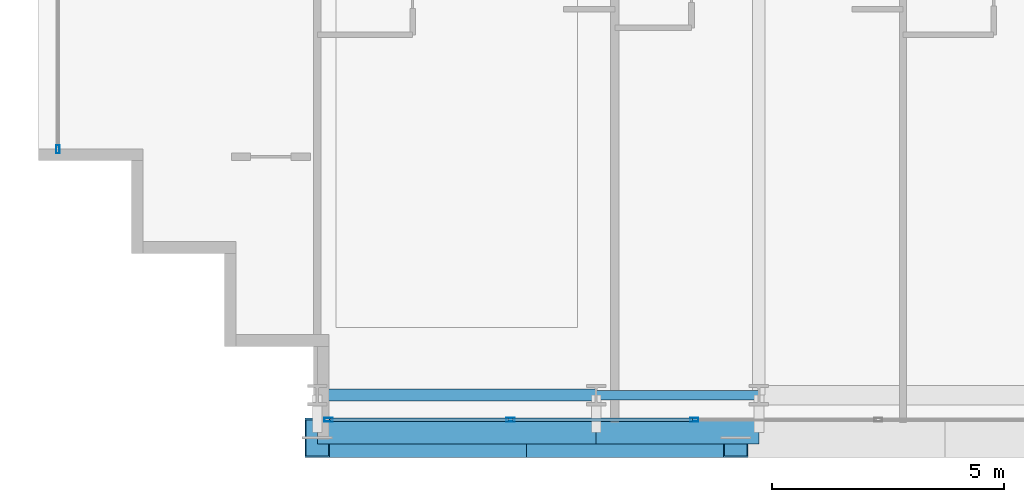
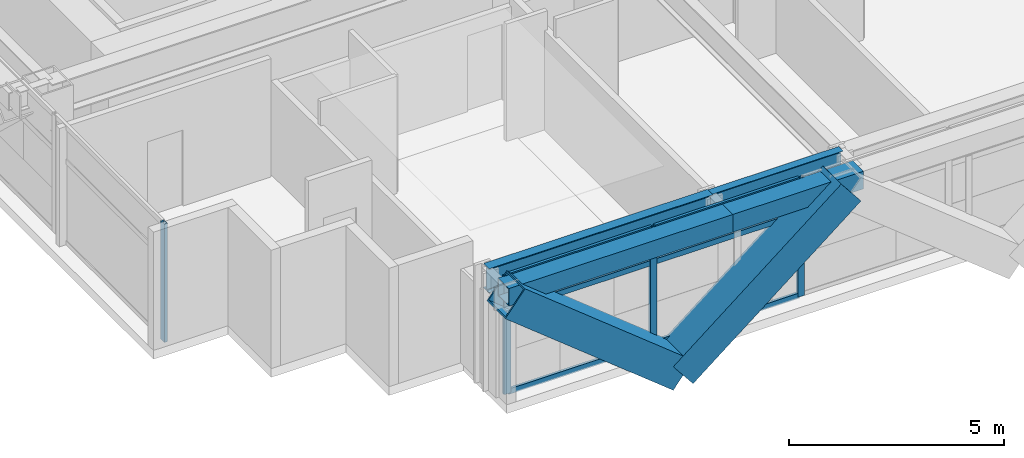
# One storey, part 2 of 41: 12 members, 4 beams, 2 elements without a shape of their own.
"""IFC4 building model written with IfcOpenShell, lengths in metres."""

from ifc_helpers import new_model, si_unit, direction, frame, origin, origin_2d, place, context, subcontext, project, spatial, hollow_rectangle, i_section, extrude, source, transform, mapped, material, layer, layer_set, material_profile, profile_set, type_object, element, aggregate, save


model = new_model("IFC4")

# Units and contexts
model_context = context("Model", 3, precision=1e-05, world=origin(), true_north=direction((0.0, 1.0)))
body_context = subcontext(model_context, "Body", "Model", "MODEL_VIEW")
ifc_project = project(units=[si_unit("LENGTHUNIT", "METRE"), si_unit("AREAUNIT", "SQUARE_METRE"), si_unit("VOLUMEUNIT", "CUBIC_METRE"), si_unit("PLANEANGLEUNIT", "RADIAN"), si_unit("MASSUNIT", "GRAM", prefix="KILO")], contexts=[model_context])

# Site, building, storey
site_placement = place(None, origin())
site = spatial("IfcSite", under=ifc_project, at=site_placement, CompositionType="ELEMENT")
building_placement = place(site_placement, origin())
building = spatial("IfcBuilding", under=site, at=building_placement, Name="Ocotamira Hotel", CompositionType="ELEMENT")
storey_placement = place(building_placement, frame((0.0, 0.0, 52.800048828125)))
storey = spatial("IfcBuildingStorey", under=building, at=storey_placement, Name="L12", CompositionType="ELEMENT", Elevation=52.800048828125)

# Beams
ifc_material_1 = material(Name="Steel ASTM A992 Grade 50", Category="steel")
ifc_material_profile_1 = material_profile(ifc_material_1, i_section(OverallWidth=0.256103515625, OverallDepth=0.693115234375, WebThickness=0.014404296875, FlangeThickness=0.023681640625, FilletRadius=0.01611328125, at=origin_2d()), Name="W27X114")
ifc_profile_set_1 = profile_set([ifc_material_profile_1], Name="Steel ASTM A992 Grade 50")
beam_type_1 = type_object("IfcBeamType", Name="BM-PRIM-W27X114", PredefinedType="BEAM", material=ifc_profile_set_1)
shared_shape_1 = source(origin(), body_context, "Body", "SweptSolid", [
    extrude(i_section(OverallWidth=0.256103515625, OverallDepth=0.693115234375, WebThickness=0.014404296875, FlangeThickness=0.023681640625, FilletRadius=0.01611328125, at=origin_2d()), origin(), (0.0, 0.0, 1.0), 6.0),
])
beam_1_placement = place(storey_placement, frame((14.0, 2.949951171875, 3.00341796875), z_axis=(1.0, 0.0, 0.0), x_axis=(0.0, 1.0, 0.0)))
element("IfcBeam", 1, at=beam_1_placement, inside=storey, type_object=beam_type_1, Name="L12 Girder Y2.95 X14-20", PredefinedType="BEAM", context=body_context, shape_type="MappedRepresentation", body=[
    mapped(shared_shape_1, transform((0.0, 0.0, 0.0), scale=1.0)),
])
ifc_material_profile_2 = material_profile(ifc_material_1, i_section(OverallWidth=0.2099609375, OverallDepth=0.537109375, WebThickness=0.010986328125, FlangeThickness=0.017333984375, FilletRadius=0.012939453125, at=origin_2d()), Name="W21X68")
ifc_profile_set_2 = profile_set([ifc_material_profile_2], Name="Steel ASTM A992 Grade 50")
beam_type_2 = type_object("IfcBeamType", Name="BM-SEC-W21X68", PredefinedType="JOIST", material=ifc_profile_set_2)
shared_shape_2 = source(origin(), body_context, "Body", "SweptSolid", [
    extrude(i_section(OverallWidth=0.2099609375, OverallDepth=0.537109375, WebThickness=0.010986328125, FlangeThickness=0.017333984375, FilletRadius=0.012939453125, at=origin_2d()), origin(), (0.0, 0.0, 1.0), 3.5),
])
beam_2_placement = place(storey_placement, frame((20.0, 2.949951171875, 3.08154296875), z_axis=(1.0, 0.0, 0.0), x_axis=(0.0, 1.0, 0.0)))
element("IfcBeam", 2, at=beam_2_placement, inside=storey, type_object=beam_type_2, Name="L12 Girder Y2.95 X20-23.5", PredefinedType="JOIST", context=body_context, shape_type="MappedRepresentation", body=[
    mapped(shared_shape_2, transform((0.0, 0.0, 0.0), scale=1.0)),
])
ifc_material_2 = material(Name="Steel ASTM A500 Grade C", Category="steel")
ifc_material_profile_3 = material_profile(ifc_material_2, hollow_rectangle(XDim=0.5, YDim=0.5, WallThickness=0.02001953125, at=origin_2d()), Name="HSS500X500X20")
ifc_profile_set_3 = profile_set([ifc_material_profile_3], Name="Steel ASTM A500 Grade C")
beam_type_3 = type_object("IfcBeamType", Name="BM-SPAN-HSS500", PredefinedType="USERDEFINED", material=ifc_profile_set_3)
shared_shape_3 = source(origin(), body_context, "Body", "SweptSolid", [
    extrude(hollow_rectangle(XDim=0.5, YDim=0.5, WallThickness=0.02001953125, at=origin_2d()), origin(), (0.0, 0.0, 1.0), 6.0),
])
beam_3_placement = place(storey_placement, frame((14.0, 2.14990234375, 3.099853515625), z_axis=(1.0, 0.0, 0.0), x_axis=(0.0, 1.0, 0.0)))
element("IfcBeam", 3, at=beam_3_placement, inside=storey, type_object=beam_type_3, Name="L12 Edge Spandrel S X14-20", ObjectType="SPANDREL", PredefinedType="USERDEFINED", context=body_context, shape_type="MappedRepresentation", body=[
    mapped(shared_shape_3, transform((0.0, 0.0, 0.0), scale=1.0)),
])
shared_shape_4 = source(origin(), body_context, "Body", "SweptSolid", [
    extrude(hollow_rectangle(XDim=0.5, YDim=0.5, WallThickness=0.02001953125, at=origin_2d()), origin(), (0.0, 0.0, 1.0), 3.5),
])
beam_4_placement = place(storey_placement, frame((20.0, 2.14990234375, 3.099853515625), z_axis=(1.0, 0.0, 0.0), x_axis=(0.0, 1.0, 0.0)))
element("IfcBeam", 4, at=beam_4_placement, inside=storey, type_object=beam_type_3, Name="L12 Edge Spandrel S X20-23.5", ObjectType="SPANDREL", PredefinedType="USERDEFINED", context=body_context, shape_type="MappedRepresentation", body=[
    mapped(shared_shape_4, transform((0.0, 0.0, 0.0), scale=1.0)),
])

# Members
ifc_material_3 = material(Name="Pale-metal coated steel ASTM A913 Grade 65", Category="steel")
ifc_material_profile_4 = material_profile(ifc_material_3, hollow_rectangle(XDim=0.85009765625, YDim=0.85009765625, WallThickness=0.035888671875, at=origin_2d()), Name="BOX850X850X36")
ifc_profile_set_4 = profile_set([ifc_material_profile_4], Name="Pale-metal coated steel ASTM A913 Grade 65")
member_type_1 = type_object("IfcMemberType", Name="MEM-EXO-BOX850", PredefinedType="BRACE", material=ifc_profile_set_4)
shared_shape_5 = source(origin(), body_context, "Body", "SweptSolid", [
    extrude(hollow_rectangle(XDim=0.85009765625, YDim=0.85009765625, WallThickness=0.035888671875, at=origin_2d()), origin(), (0.0, 0.0, 1.0), 5.7626953125),
])
for number, where, z_axis, x_axis, name in (
    (5, (18.5, 2.030029296875, -0.5), (-0.780881208953, 0.0, 0.624679547852), (0.0, -1.0, 0.0), "L12 Exoskeleton Diagrid S0.1"),
    (6, (18.5, 2.030029296875, -0.5), (0.780881208953, 0.0, 0.624679547852), (0.0, 1.0, 0.0), "L12 Exoskeleton Diagrid S0.2"),
):
    element("IfcMember", number, at=place(storey_placement, frame(where, z_axis=z_axis, x_axis=x_axis)), inside=storey, type_object=member_type_1, Name=name, PredefinedType="BRACE", context=body_context, shape_type="MappedRepresentation", body=[
        mapped(shared_shape_5, transform((0.0, 0.0, 0.0), scale=1.0)),
    ])

# Curtain wall, members
ifc_material_4 = material(Name="Anodised pale-metal aluminium and solar glass", Category="aluminium")
ifc_layer = layer(ifc_material_4, 0.179931640625)
ifc_layer_set = layer_set([ifc_layer], Name="Anodised pale-metal aluminium and solar glass")
curtain_wall_type = type_object("IfcCurtainWallType", Name="CW-SYS2-Z1", PredefinedType="NOTDEFINED", material=ifc_layer_set)
curtain_wall_1_placement = place(storey_placement, origin())
curtain_wall_1 = element("IfcCurtainWall", 7, at=curtain_wall_1_placement, inside=storey, type_object=curtain_wall_type, Name="L12 Curtain Wall CW-2 CW-L12-S1", PredefinedType="NOTDEFINED")
ifc_material_5 = material(Name="Anodised pale-metal aluminium 6063-T6", Category="aluminium")
ifc_material_profile_5 = material_profile(ifc_material_5, hollow_rectangle(XDim=0.080078125, YDim=0.179931640625, WallThickness=0.006103515625, at=origin_2d()), Name="HSS180X80X6")
ifc_profile_set_5 = profile_set([ifc_material_profile_5], Name="Anodised pale-metal aluminium 6063-T6")
member_type_2 = type_object("IfcMemberType", Name="CWM-180X75", PredefinedType="MULLION", material=ifc_profile_set_5)
shared_shape_6 = source(origin(), body_context, "Body", "SweptSolid", [
    extrude(hollow_rectangle(XDim=0.080078125, YDim=0.179931640625, WallThickness=0.006103515625, at=origin_2d()), origin(), (0.0, 0.0, 1.0), 3.349853515625),
])
member_1_placement = place(storey_placement, frame((14.239990234375, 2.419921875, 0.0), z_axis=(0.0, 0.0, 1.0), x_axis=(0.0, 1.0, 0.0)))
member_1 = element("IfcMember", 8, at=member_1_placement, type_object=member_type_2, Name="CW-2 mullion 1", PredefinedType="MULLION", context=body_context, shape_type="MappedRepresentation", body=[
    mapped(shared_shape_6, transform((0.0, 0.0, 0.0), scale=1.0)),
])
member_2_placement = place(storey_placement, frame((18.155517578125, 2.419921875, 0.0), z_axis=(0.0, 0.0, 1.0), x_axis=(0.0, 1.0, 0.0)))
member_2 = element("IfcMember", 9, at=member_2_placement, type_object=member_type_2, Name="CW-2 mullion 2", PredefinedType="MULLION", context=body_context, shape_type="MappedRepresentation", body=[
    mapped(shared_shape_6, transform((0.0, 0.0, 0.0), scale=1.0)),
])
member_3_placement = place(storey_placement, frame((22.111083984375, 2.419921875, 0.0), z_axis=(0.0, 0.0, 1.0), x_axis=(0.0, 1.0, 0.0)))
member_3 = element("IfcMember", 10, at=member_3_placement, type_object=member_type_2, Name="CW-2 mullion 3", PredefinedType="MULLION", context=body_context, shape_type="MappedRepresentation", body=[
    mapped(shared_shape_6, transform((0.0, 0.0, 0.0), scale=1.0)),
])

# Curtain wall, member
curtain_wall_2_placement = place(storey_placement, origin())
curtain_wall_2 = element("IfcCurtainWall", 11, at=curtain_wall_2_placement, inside=storey, type_object=curtain_wall_type, Name="L12 Curtain Wall CW-2 CW-L12-W", PredefinedType="NOTDEFINED")
member_4_placement = place(storey_placement, frame((8.419921875, 8.239990234375, 0.0), z_axis=(0.0, 0.0, 1.0), x_axis=(-1.0, 0.0, 0.0)))
member_4 = element("IfcMember", 12, at=member_4_placement, type_object=member_type_2, Name="CW-2 mullion 1", PredefinedType="MULLION", context=body_context, shape_type="MappedRepresentation", body=[
    mapped(shared_shape_6, transform((0.0, 0.0, 0.0), scale=1.0)),
])
aggregate(curtain_wall_2, [member_4])

# Member
ifc_material_profile_6 = material_profile(ifc_material_5, hollow_rectangle(XDim=0.074951171875, YDim=0.14990234375, WallThickness=0.006103515625, at=origin_2d()), Name="HSS150X75X6")
ifc_profile_set_6 = profile_set([ifc_material_profile_6], Name="Anodised pale-metal aluminium 6063-T6")
member_type_3 = type_object("IfcMemberType", Name="CWT-150X75", PredefinedType="USERDEFINED", material=ifc_profile_set_6)
shared_shape_7 = source(origin(), body_context, "Body", "SweptSolid", [
    extrude(hollow_rectangle(XDim=0.074951171875, YDim=0.14990234375, WallThickness=0.006103515625, at=origin_2d()), origin(), (0.0, 0.0, 1.0), 3.83544921875),
])
member_5_placement = place(storey_placement, frame((14.280029296875, 2.419921875, 0.037353515625), z_axis=(1.0, 0.0, 0.0), x_axis=(0.0, 1.0, 0.0)))
member_5 = element("IfcMember", 13, at=member_5_placement, type_object=member_type_3, Name="CW-2 transom 1.1", ObjectType="TRANSOM", PredefinedType="USERDEFINED", context=body_context, shape_type="MappedRepresentation", body=[
    mapped(shared_shape_7, transform((0.0, 0.0, 0.0), scale=1.0)),
])

member_6_placement = place(storey_placement, frame((14.280029296875, 2.419921875, 2.349853515625), z_axis=(1.0, 0.0, 0.0), x_axis=(0.0, 1.0, 0.0)))
member_6 = element("IfcMember", 14, at=member_6_placement, type_object=member_type_3, Name="CW-2 transom 1.2", ObjectType="TRANSOM", PredefinedType="USERDEFINED", context=body_context, shape_type="MappedRepresentation", body=[
    mapped(shared_shape_7, transform((0.0, 0.0, 0.0), scale=1.0)),
])

member_7_placement = place(storey_placement, frame((14.280029296875, 2.419921875, 3.3125), z_axis=(1.0, 0.0, 0.0), x_axis=(0.0, 1.0, 0.0)))
member_7 = element("IfcMember", 15, at=member_7_placement, type_object=member_type_3, Name="CW-2 transom 1.3", ObjectType="TRANSOM", PredefinedType="USERDEFINED", context=body_context, shape_type="MappedRepresentation", body=[
    mapped(shared_shape_7, transform((0.0, 0.0, 0.0), scale=1.0)),
])

shared_shape_8 = source(origin(), body_context, "Body", "SweptSolid", [
    extrude(hollow_rectangle(XDim=0.074951171875, YDim=0.14990234375, WallThickness=0.006103515625, at=origin_2d()), origin(), (0.0, 0.0, 1.0), 3.87548828125),
])
member_8_placement = place(storey_placement, frame((18.195556640625, 2.419921875, 0.037353515625), z_axis=(1.0, 0.0, 0.0), x_axis=(0.0, 1.0, 0.0)))
member_8 = element("IfcMember", 16, at=member_8_placement, type_object=member_type_3, Name="CW-2 transom 2.1", ObjectType="TRANSOM", PredefinedType="USERDEFINED", context=body_context, shape_type="MappedRepresentation", body=[
    mapped(shared_shape_8, transform((0.0, 0.0, 0.0), scale=1.0)),
])

member_9_placement = place(storey_placement, frame((18.195556640625, 2.419921875, 2.349853515625), z_axis=(1.0, 0.0, 0.0), x_axis=(0.0, 1.0, 0.0)))
member_9 = element("IfcMember", 17, at=member_9_placement, type_object=member_type_3, Name="CW-2 transom 2.2", ObjectType="TRANSOM", PredefinedType="USERDEFINED", context=body_context, shape_type="MappedRepresentation", body=[
    mapped(shared_shape_8, transform((0.0, 0.0, 0.0), scale=1.0)),
])

member_10_placement = place(storey_placement, frame((18.195556640625, 2.419921875, 3.3125), z_axis=(1.0, 0.0, 0.0), x_axis=(0.0, 1.0, 0.0)))
member_10 = element("IfcMember", 18, at=member_10_placement, type_object=member_type_3, Name="CW-2 transom 2.3", ObjectType="TRANSOM", PredefinedType="USERDEFINED", context=body_context, shape_type="MappedRepresentation", body=[
    mapped(shared_shape_8, transform((0.0, 0.0, 0.0), scale=1.0)),
])

aggregate(curtain_wall_1, [member_1, member_2, member_3, member_5, member_6, member_7, member_8, member_9, member_10])

save(model, "model.ifc")
